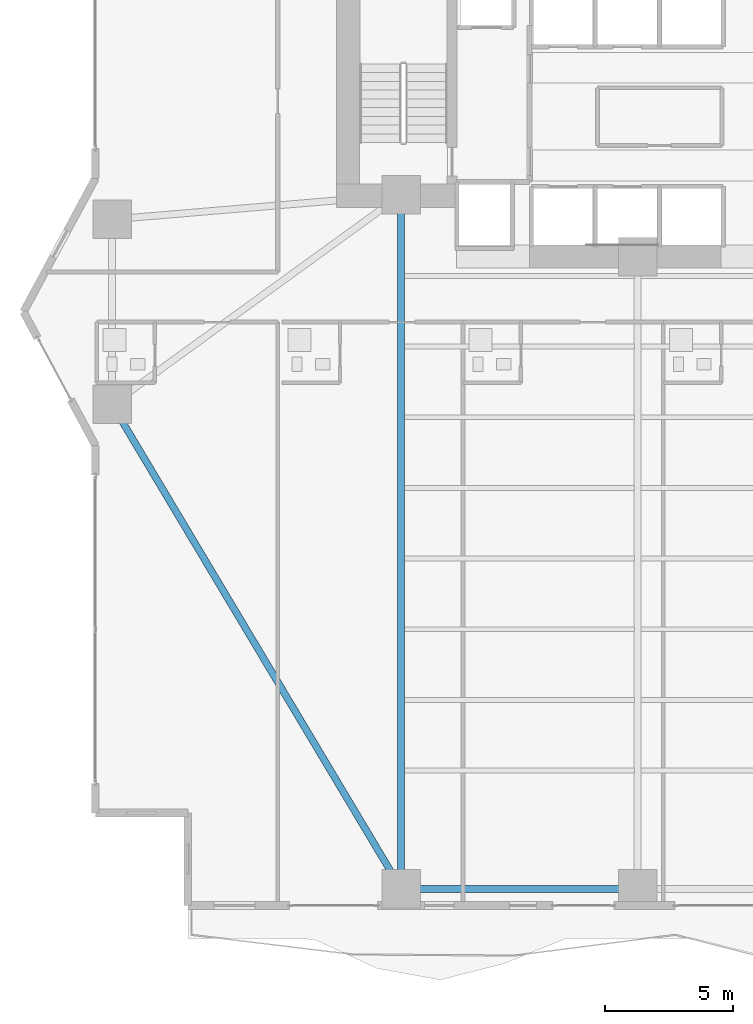
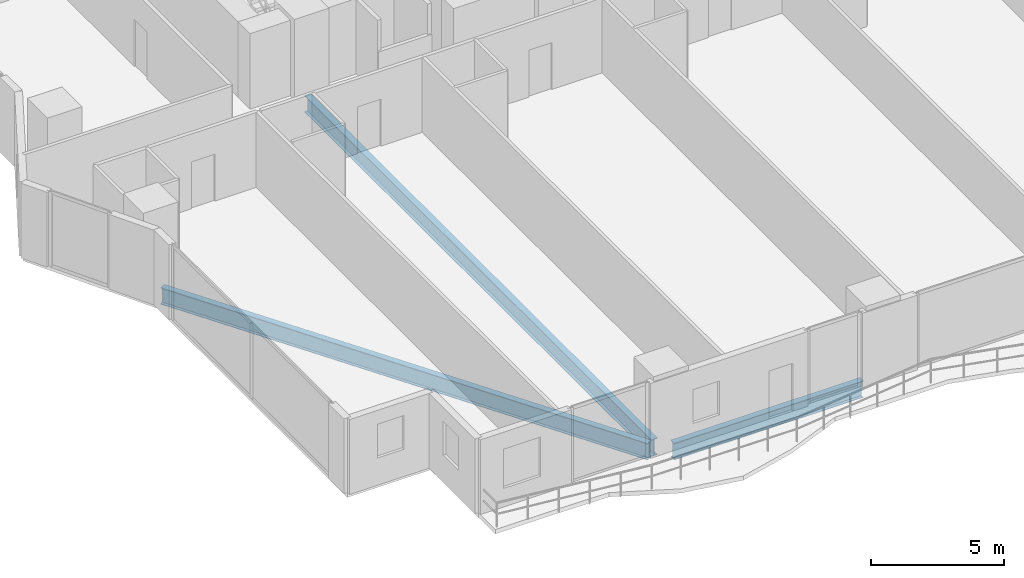
# One storey, part 3 of 28: 3 beams.
"""IFC4 building model written with IfcOpenShell, lengths in metres."""

from ifc_helpers import new_model, si_unit, direction, frame, origin, origin_2d, place, context, subcontext, project, spatial, i_section, extrude, material, material_profile, profile_set, type_object, element, save


model = new_model("IFC4")

# Units and contexts
model_context = context("Model", 3, precision=1e-05, world=origin(), true_north=direction((0.0, 1.0)))
body_context = subcontext(model_context, "Body", "Model", "MODEL_VIEW")
ifc_project = project(units=[si_unit("LENGTHUNIT", "METRE"), si_unit("AREAUNIT", "SQUARE_METRE"), si_unit("VOLUMEUNIT", "CUBIC_METRE"), si_unit("PLANEANGLEUNIT", "RADIAN"), si_unit("MASSUNIT", "GRAM", prefix="KILO")], contexts=[model_context])

# Site, building, storey
site_placement = place(None, origin())
site = spatial("IfcSite", under=ifc_project, at=site_placement, CompositionType="ELEMENT")
building_placement = place(site_placement, origin())
building = spatial("IfcBuilding", under=site, at=building_placement, Name="Zuhayl Quay Hotel", CompositionType="ELEMENT")
storey_placement = place(building_placement, frame((0.0, 0.0, 53.14990234375)))
storey = spatial("IfcBuildingStorey", under=building, at=storey_placement, Name="L12", CompositionType="ELEMENT", Elevation=53.14990234375)

# Beams
ifc_material = material(Name="Steel ASTM A992 Grade 50", Category="steel")
ifc_material_profile = material_profile(ifc_material, i_section(OverallWidth=0.26708984375, OverallDepth=0.761962890625, WebThickness=0.014404296875, FlangeThickness=0.021484375, at=origin_2d()), Name="W30X116")
ifc_profile_set = profile_set([ifc_material_profile], Name="Steel ASTM A992 Grade 50")
beam_type = type_object("IfcBeamType", Name="BM_B1_W30X116", PredefinedType="BEAM", material=ifc_profile_set)
beam_1_placement = place(storey_placement, frame((-13.300048828125, -22.449951171875, -0.600830078125), z_axis=(1.0, 0.0, 0.0), x_axis=(0.0, 1.0, 0.0)))
element("IfcBeam", 1, at=beam_1_placement, inside=storey, type_object=beam_type, Name="L12 Floor Beam RG_L12_01", PredefinedType="BEAM", context=body_context, shape_type="SweptSolid", body=[
    extrude(i_section(OverallWidth=0.26708984375, OverallDepth=0.761962890625, WebThickness=0.014404296875, FlangeThickness=0.021484375, at=origin_2d()), origin(), (0.0, 0.0, 1.0), 8.199951171875),
])
beam_2_placement = place(storey_placement, frame((-24.793701171875, -4.029296875, -0.600830078125), z_axis=(0.512482593247, -0.85869761361, 0.0), x_axis=(0.85869761361, 0.512482593247, 0.0)))
element("IfcBeam", 2, at=beam_2_placement, inside=storey, type_object=beam_type, Name="L12 Floor Beam RG_L12_12", PredefinedType="BEAM", context=body_context, shape_type="SweptSolid", body=[
    extrude(i_section(OverallWidth=0.26708984375, OverallDepth=0.761962890625, WebThickness=0.014404296875, FlangeThickness=0.021484375, at=origin_2d()), origin(), (0.0, 0.0, 1.0), 20.9521484375),
])
beam_3_placement = place(storey_placement, frame((-13.800048828125, -21.949951171875, -0.600830078125), z_axis=(0.0, 1.0, 0.0), x_axis=(-1.0, 0.0, 0.0)))
element("IfcBeam", 3, at=beam_3_placement, inside=storey, type_object=beam_type, Name="L12 Floor Beam FG_S_L12_1", PredefinedType="BEAM", context=body_context, shape_type="SweptSolid", body=[
    extrude(i_section(OverallWidth=0.26708984375, OverallDepth=0.761962890625, WebThickness=0.014404296875, FlangeThickness=0.021484375, at=origin_2d()), origin(), (0.0, 0.0, 1.0), 26.050048828125),
])

save(model, "model.ifc")
